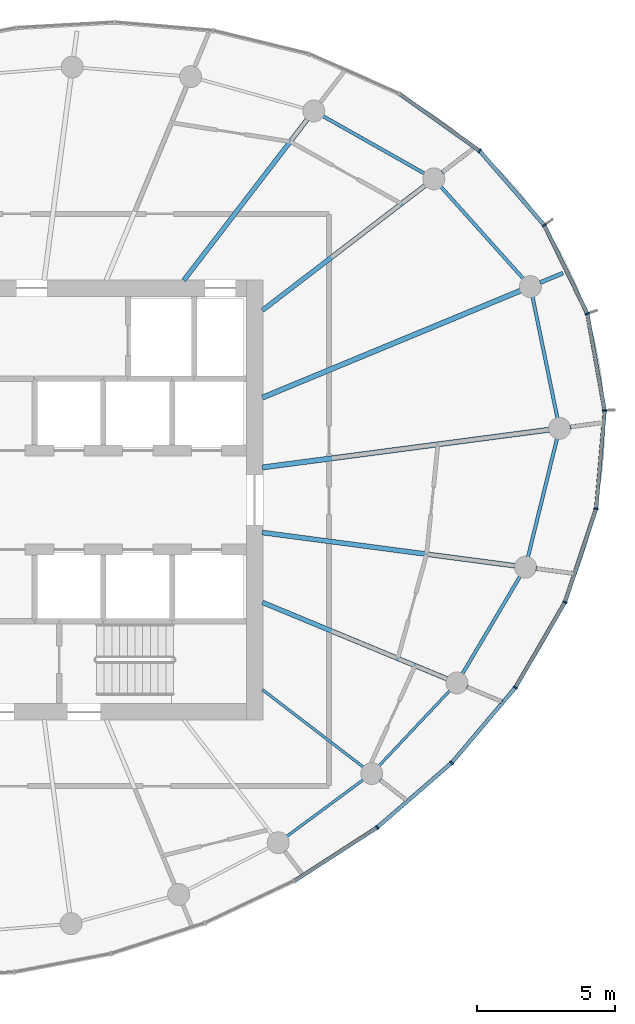
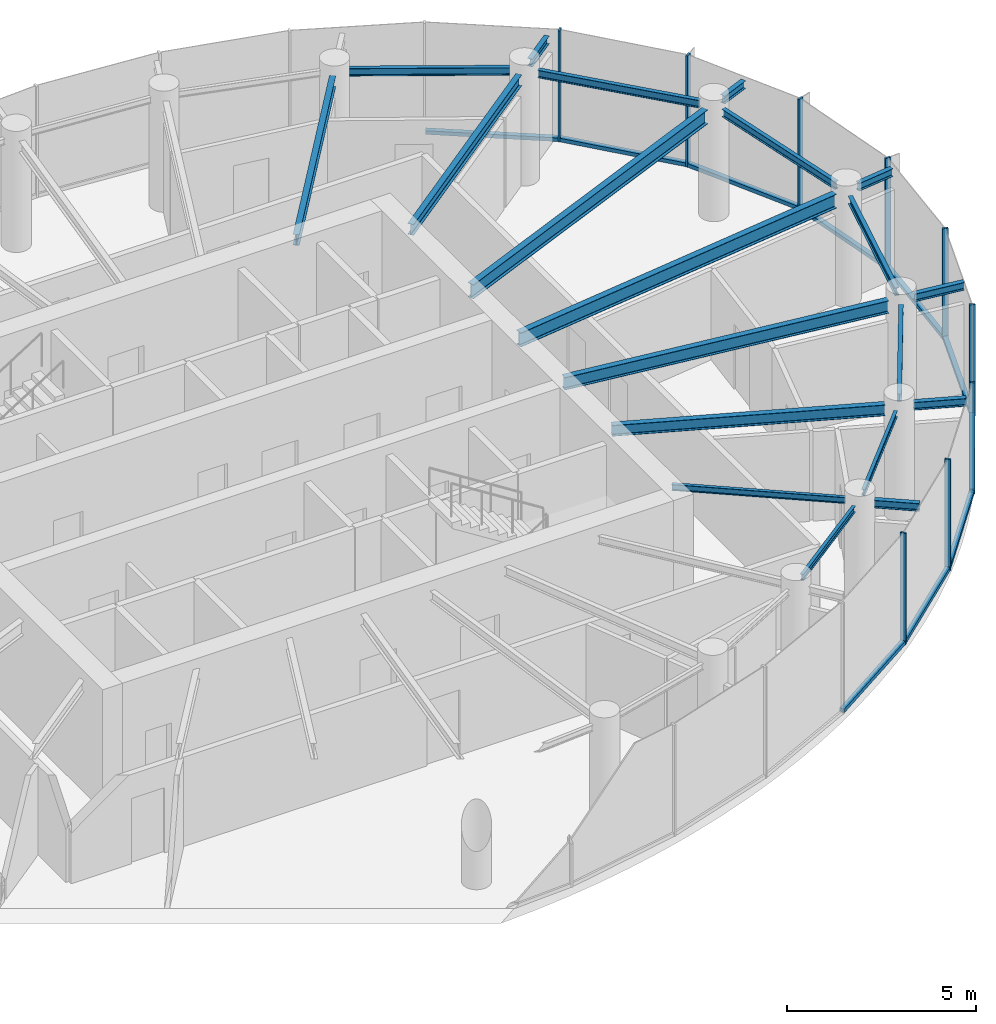
# One storey, part 5 of 13: 20 beams, 19 members, 3 elements without a shape of their own.
"""IFC4 building model written with IfcOpenShell, lengths in metres."""

from ifc_helpers import new_model, si_unit, direction, frame, origin, origin_2d, place, context, subcontext, project, spatial, rectangle, i_section, extrude, source, transform, mapped, material, layer, layer_set, material_profile, profile_set, type_object, element, aggregate, save


model = new_model("IFC4")

# Units and contexts
model_context = context("Model", 3, precision=1e-05, world=origin(), true_north=direction((0.0, 1.0)))
body_context = subcontext(model_context, "Body", "Model", "MODEL_VIEW")
ifc_project = project(units=[si_unit("LENGTHUNIT", "METRE"), si_unit("AREAUNIT", "SQUARE_METRE"), si_unit("VOLUMEUNIT", "CUBIC_METRE"), si_unit("PLANEANGLEUNIT", "RADIAN"), si_unit("MASSUNIT", "GRAM", prefix="KILO")], contexts=[model_context])

# Site, building, storey
site_placement = place(None, origin())
site = spatial("IfcSite", under=ifc_project, at=site_placement, CompositionType="ELEMENT")
building_placement = place(site_placement, origin())
building = spatial("IfcBuilding", under=site, at=building_placement, Name="Spindrift Exchange Tower", CompositionType="ELEMENT")
storey_placement = place(building_placement, frame((0.0, 0.0, 250.10009765625)))
storey = spatial("IfcBuildingStorey", under=building, at=storey_placement, Name="L61", CompositionType="ELEMENT", Elevation=250.10009765625)

# Beams
ifc_material_1 = material(Name="Steel Grade 300", Category="steel")
ifc_material_profile_1 = material_profile(ifc_material_1, i_section(OverallWidth=0.18994140625, OverallDepth=0.4541015625, WebThickness=0.008544921875, FlangeThickness=0.0126953125, FilletRadius=0.013916015625, at=origin_2d()), Name="460UB67.1")
ifc_profile_set_1 = profile_set([ifc_material_profile_1], Name="Steel Grade 300")
beam_type_1 = type_object("IfcBeamType", Name="Floor Beam 460UB67.1 Steel Grade 300", PredefinedType="BEAM", material=ifc_profile_set_1)
shared_shape_1 = source(origin(), body_context, "Body", "SweptSolid", [
    extrude(i_section(OverallWidth=0.18994140625, OverallDepth=0.4541015625, WebThickness=0.008544921875, FlangeThickness=0.0126953125, FilletRadius=0.013916015625, at=origin_2d()), origin(), (0.0, 0.0, 1.0), 10.510009765625),
])
beam_1_placement = place(storey_placement, frame((60.980224609375, 49.182373046875, 3.352783203125), z_axis=(0.991445042488, 0.130524816516, 0.0), x_axis=(-0.130524816516, 0.991445042488, 0.0)))
element("IfcBeam", 1, at=beam_1_placement, inside=storey, type_object=beam_type_1, Name="L61 radial beam R01A", PredefinedType="BEAM", context=body_context, shape_type="MappedRepresentation", body=[
    mapped(shared_shape_1, transform((0.0, 0.0, 0.0), scale=1.0)),
])
shared_shape_2 = source(origin(), body_context, "Body", "SweptSolid", [
    extrude(i_section(OverallWidth=0.18994140625, OverallDepth=0.4541015625, WebThickness=0.008544921875, FlangeThickness=0.0126953125, FilletRadius=0.013916015625, at=origin_2d()), origin(), (0.0, 0.0, 1.0), 10.160400390625),
])
beam_2_placement = place(storey_placement, frame((60.9814453125, 51.72021484375, 3.352783203125), z_axis=(0.923880358773, 0.382681437588, 0.0), x_axis=(-0.382681437588, 0.923880358773, 0.0)))
element("IfcBeam", 2, at=beam_2_placement, inside=storey, type_object=beam_type_1, Name="L61 radial beam R02A", PredefinedType="BEAM", context=body_context, shape_type="MappedRepresentation", body=[
    mapped(shared_shape_2, transform((0.0, 0.0, 0.0), scale=1.0)),
])
ifc_material_profile_2 = material_profile(ifc_material_1, i_section(OverallWidth=0.1708984375, OverallDepth=0.35205078125, WebThickness=0.0068359375, FlangeThickness=0.009765625, FilletRadius=0.013916015625, at=origin_2d()), Name="360UB44.7")
ifc_profile_set_2 = profile_set([ifc_material_profile_2], Name="Steel Grade 300")
beam_type_2 = type_object("IfcBeamType", Name="Floor Beam 360UB44.7 Steel Grade 300", PredefinedType="BEAM", material=ifc_profile_set_2)
shared_shape_3 = source(origin(), body_context, "Body", "SweptSolid", [
    extrude(i_section(OverallWidth=0.1708984375, OverallDepth=0.35205078125, WebThickness=0.0068359375, FlangeThickness=0.009765625, FilletRadius=0.013916015625, at=origin_2d()), origin(), (0.0, 0.0, 1.0), 7.466796875),
])
beam_3_placement = place(storey_placement, frame((60.984130859375, 54.893798828125, 3.40380859375), z_axis=(0.793360004804, 0.608752743548, 0.0), x_axis=(-0.608752743548, 0.793360004804, 0.0)))
element("IfcBeam", 3, at=beam_3_placement, inside=storey, type_object=beam_type_2, Name="L61 radial beam R03A", PredefinedType="BEAM", context=body_context, shape_type="MappedRepresentation", body=[
    mapped(shared_shape_3, transform((0.0, 0.0, 0.0), scale=1.0)),
])
shared_shape_4 = source(origin(), body_context, "Body", "SweptSolid", [
    extrude(i_section(OverallWidth=0.1708984375, OverallDepth=0.35205078125, WebThickness=0.0068359375, FlangeThickness=0.009765625, FilletRadius=0.013916015625, at=origin_2d()), origin(), (0.0, 0.0, 1.0), 7.3740234375),
])
beam_4_placement = place(storey_placement, frame((58.12646484375, 55.984130859375, 3.40380859375), z_axis=(0.608751913917, 0.793360641387, 0.0), x_axis=(-0.793360641387, 0.608751913917, 0.0)))
element("IfcBeam", 4, at=beam_4_placement, inside=storey, type_object=beam_type_2, Name="L61 radial beam R04A", PredefinedType="BEAM", context=body_context, shape_type="MappedRepresentation", body=[
    mapped(shared_shape_4, transform((0.0, 0.0, 0.0), scale=1.0)),
])
ifc_material_profile_3 = material_profile(ifc_material_1, i_section(OverallWidth=0.09912109375, OverallDepth=0.197998046875, WebThickness=0.00439453125, FlangeThickness=0.007080078125, FilletRadius=0.010986328125, at=origin_2d()), Name="200UB18.2")
ifc_profile_set_3 = profile_set([ifc_material_profile_3], Name="Steel Grade 300")
beam_type_3 = type_object("IfcBeamType", Name="Floor Beam 200UB18.2 Steel Grade 300", PredefinedType="BEAM", material=ifc_profile_set_3)
shared_shape_5 = source(origin(), body_context, "Body", "SweptSolid", [
    extrude(i_section(OverallWidth=0.09912109375, OverallDepth=0.197998046875, WebThickness=0.00439453125, FlangeThickness=0.007080078125, FilletRadius=0.010986328125, at=origin_2d()), origin(), (0.0, 0.0, 1.0), 4.622802734375),
])
beam_5_placement = place(storey_placement, frame((60.984130859375, 41.106201171875, 3.48095703125), z_axis=(0.793347882225, -0.608768542033, 0.0), x_axis=(0.608768542033, 0.793347882225, 0.0)))
element("IfcBeam", 5, at=beam_5_placement, inside=storey, type_object=beam_type_3, Name="L61 radial beam R22A", PredefinedType="BEAM", context=body_context, shape_type="MappedRepresentation", body=[
    mapped(shared_shape_5, transform((0.0, 0.0, 0.0), scale=1.0)),
])
shared_shape_6 = source(origin(), body_context, "Body", "SweptSolid", [
    extrude(i_section(OverallWidth=0.1708984375, OverallDepth=0.35205078125, WebThickness=0.0068359375, FlangeThickness=0.009765625, FilletRadius=0.013916015625, at=origin_2d()), origin(), (0.0, 0.0, 1.0), 7.272705078125),
])
beam_6_placement = place(storey_placement, frame((60.9814453125, 44.27978515625, 3.40380859375), z_axis=(0.923874446092, -0.382695711836, 0.0), x_axis=(0.382695711836, 0.923874446092, 0.0)))
element("IfcBeam", 6, at=beam_6_placement, inside=storey, type_object=beam_type_2, Name="L61 radial beam R23A", PredefinedType="BEAM", context=body_context, shape_type="MappedRepresentation", body=[
    mapped(shared_shape_6, transform((0.0, 0.0, 0.0), scale=1.0)),
])
ifc_material_profile_4 = material_profile(ifc_material_1, i_section(OverallWidth=0.177978515625, OverallDepth=0.403076171875, WebThickness=0.007568359375, FlangeThickness=0.010986328125, FilletRadius=0.013916015625, at=origin_2d()), Name="410UB53.7")
ifc_profile_set_4 = profile_set([ifc_material_profile_4], Name="Steel Grade 300")
beam_type_4 = type_object("IfcBeamType", Name="Floor Beam 410UB53.7 Steel Grade 300", PredefinedType="BEAM", material=ifc_profile_set_4)
shared_shape_7 = source(origin(), body_context, "Body", "SweptSolid", [
    extrude(i_section(OverallWidth=0.177978515625, OverallDepth=0.403076171875, WebThickness=0.007568359375, FlangeThickness=0.010986328125, FilletRadius=0.013916015625, at=origin_2d()), origin(), (0.0, 0.0, 1.0), 9.261962890625),
])
beam_7_placement = place(storey_placement, frame((60.980224609375, 46.817626953125, 3.37841796875), z_axis=(0.991447744872, -0.130504288008, 0.0), x_axis=(0.130504288008, 0.991447744872, 0.0)))
element("IfcBeam", 7, at=beam_7_placement, inside=storey, type_object=beam_type_4, Name="L61 radial beam R24A", PredefinedType="BEAM", context=body_context, shape_type="MappedRepresentation", body=[
    mapped(shared_shape_7, transform((0.0, 0.0, 0.0), scale=1.0)),
])
ifc_material_profile_5 = material_profile(ifc_material_1, i_section(OverallWidth=0.1240234375, OverallDepth=0.248046875, WebThickness=0.0048828125, FlangeThickness=0.008056640625, FilletRadius=0.011962890625, at=origin_2d()), Name="250UB25.7")
ifc_profile_set_5 = profile_set([ifc_material_profile_5], Name="Steel Grade 300")
beam_type_5 = type_object("IfcBeamType", Name="Edge Beam 250UB25.7 Steel Grade 300", PredefinedType="SPANDREL", material=ifc_profile_set_5)
shared_shape_8 = source(origin(), body_context, "Body", "SweptSolid", [
    extrude(i_section(OverallWidth=0.1240234375, OverallDepth=0.248046875, WebThickness=0.0048828125, FlangeThickness=0.008056640625, FilletRadius=0.011962890625, at=origin_2d()), origin(), (0.0, 0.0, 1.0), 4.497802734375),
])
beam_8_placement = place(storey_placement, frame((71.700927734375, 50.975830078125, 3.455810546875), z_axis=(-0.201217935785, 0.979546498293, 0.0), x_axis=(-0.979546498293, -0.201217935785, 0.0)))
element("IfcBeam", 8, at=beam_8_placement, inside=storey, type_object=beam_type_5, Name="L61 edge beam E01", PredefinedType="SPANDREL", context=body_context, shape_type="MappedRepresentation", body=[
    mapped(shared_shape_8, transform((0.0, 0.0, 0.0), scale=1.0)),
])
shared_shape_9 = source(origin(), body_context, "Body", "SweptSolid", [
    extrude(i_section(OverallWidth=0.1240234375, OverallDepth=0.248046875, WebThickness=0.0048828125, FlangeThickness=0.008056640625, FilletRadius=0.011962890625, at=origin_2d()), origin(), (0.0, 0.0, 1.0), 4.499755859375),
])
beam_9_placement = place(storey_placement, frame((70.466064453125, 56.036865234375, 3.455810546875), z_axis=(-0.667419502646, 0.744681950558, 0.0), x_axis=(-0.744681950558, -0.667419502646, 0.0)))
element("IfcBeam", 9, at=beam_9_placement, inside=storey, type_object=beam_type_5, Name="L61 edge beam E02", PredefinedType="SPANDREL", context=body_context, shape_type="MappedRepresentation", body=[
    mapped(shared_shape_9, transform((0.0, 0.0, 0.0), scale=1.0)),
])
shared_shape_10 = source(origin(), body_context, "Body", "SweptSolid", [
    extrude(i_section(OverallWidth=0.1240234375, OverallDepth=0.248046875, WebThickness=0.0048828125, FlangeThickness=0.008056640625, FilletRadius=0.011962890625, at=origin_2d()), origin(), (0.0, 0.0, 1.0), 4.2509765625),
])
beam_10_placement = place(storey_placement, frame((66.878662109375, 59.857666015625, 3.455810546875), z_axis=(-0.870615246867, 0.491964523033, 0.0), x_axis=(-0.491964523033, -0.870615246867, 0.0)))
element("IfcBeam", 10, at=beam_10_placement, inside=storey, type_object=beam_type_5, Name="L61 edge beam E03", PredefinedType="SPANDREL", context=body_context, shape_type="MappedRepresentation", body=[
    mapped(shared_shape_10, transform((0.0, 0.0, 0.0), scale=1.0)),
])
ifc_material_profile_6 = material_profile(ifc_material_1, i_section(OverallWidth=0.09912109375, OverallDepth=0.197998046875, WebThickness=0.00439453125, FlangeThickness=0.007080078125, FilletRadius=0.010986328125, at=origin_2d()), Name="200UB18.2")
ifc_profile_set_6 = profile_set([ifc_material_profile_6], Name="Steel Grade 300")
beam_type_6 = type_object("IfcBeamType", Name="Edge Beam 200UB18.2 Steel Grade 300", PredefinedType="SPANDREL", material=ifc_profile_set_6)
shared_shape_11 = source(origin(), body_context, "Body", "SweptSolid", [
    extrude(i_section(OverallWidth=0.09912109375, OverallDepth=0.197998046875, WebThickness=0.00439453125, FlangeThickness=0.007080078125, FilletRadius=0.010986328125, at=origin_2d()), origin(), (0.0, 0.0, 1.0), 3.466552734375),
])
beam_11_placement = place(storey_placement, frame((61.861083984375, 35.772705078125, 3.48095703125), z_axis=(0.803854022168, 0.594826622676, 0.0), x_axis=(-0.594826622676, 0.803854022168, 0.0)))
element("IfcBeam", 11, at=beam_11_placement, inside=storey, type_object=beam_type_6, Name="L61 edge beam E21", PredefinedType="SPANDREL", context=body_context, shape_type="MappedRepresentation", body=[
    mapped(shared_shape_11, transform((0.0, 0.0, 0.0), scale=1.0)),
])
shared_shape_12 = source(origin(), body_context, "Body", "SweptSolid", [
    extrude(i_section(OverallWidth=0.09912109375, OverallDepth=0.197998046875, WebThickness=0.00439453125, FlangeThickness=0.007080078125, FilletRadius=0.010986328125, at=origin_2d()), origin(), (0.0, 0.0, 1.0), 3.759765625),
])
beam_12_placement = place(storey_placement, frame((65.213623046875, 38.33740234375, 3.48095703125), z_axis=(0.685520646854, 0.72805318675, 0.0), x_axis=(-0.72805318675, 0.685520646854, 0.0)))
element("IfcBeam", 12, at=beam_12_placement, inside=storey, type_object=beam_type_6, Name="L61 edge beam E22", PredefinedType="SPANDREL", context=body_context, shape_type="MappedRepresentation", body=[
    mapped(shared_shape_12, transform((0.0, 0.0, 0.0), scale=1.0)),
])
shared_shape_13 = source(origin(), body_context, "Body", "SweptSolid", [
    extrude(i_section(OverallWidth=0.1240234375, OverallDepth=0.248046875, WebThickness=0.0048828125, FlangeThickness=0.008056640625, FilletRadius=0.011962890625, at=origin_2d()), origin(), (0.0, 0.0, 1.0), 4.128662109375),
])
beam_13_placement = place(storey_placement, frame((68.244873046875, 41.678466796875, 3.455810546875), z_axis=(0.509067946458, 0.860726336235, 0.0), x_axis=(-0.860726336235, 0.509067946458, 0.0)))
element("IfcBeam", 13, at=beam_13_placement, inside=storey, type_object=beam_type_5, Name="L61 edge beam E23", PredefinedType="SPANDREL", context=body_context, shape_type="MappedRepresentation", body=[
    mapped(shared_shape_13, transform((0.0, 0.0, 0.0), scale=1.0)),
])
shared_shape_14 = source(origin(), body_context, "Body", "SweptSolid", [
    extrude(i_section(OverallWidth=0.1240234375, OverallDepth=0.248046875, WebThickness=0.0048828125, FlangeThickness=0.008056640625, FilletRadius=0.011962890625, at=origin_2d()), origin(), (0.0, 0.0, 1.0), 4.43408203125),
])
beam_14_placement = place(storey_placement, frame((70.630615234375, 45.92822265625, 3.455810546875), z_axis=(0.238193109804, 0.971217814109, 0.0), x_axis=(-0.971217814109, 0.238193109804, 0.0)))
element("IfcBeam", 14, at=beam_14_placement, inside=storey, type_object=beam_type_5, Name="L61 edge beam E24", PredefinedType="SPANDREL", context=body_context, shape_type="MappedRepresentation", body=[
    mapped(shared_shape_14, transform((0.0, 0.0, 0.0), scale=1.0)),
])
ifc_material_profile_7 = material_profile(ifc_material_1, i_section(OverallWidth=0.14599609375, OverallDepth=0.251953125, WebThickness=0.006103515625, FlangeThickness=0.008544921875, FilletRadius=0.011962890625, at=origin_2d()), Name="250UB31.4")
ifc_profile_set_7 = profile_set([ifc_material_profile_7], Name="Steel Grade 300")
beam_type_7 = type_object("IfcBeamType", Name="Cantilever Beam 250UB31.4 Steel Grade 300", PredefinedType="BEAM", material=ifc_profile_set_7)
shared_shape_15 = source(origin(), body_context, "Body", "SweptSolid", [
    extrude(i_section(OverallWidth=0.14599609375, OverallDepth=0.251953125, WebThickness=0.006103515625, FlangeThickness=0.008544921875, FilletRadius=0.011962890625, at=origin_2d()), origin(), (0.0, 0.0, 1.0), 1.12353515625),
])
beam_15_placement = place(storey_placement, frame((72.154052734375, 50.6533203125, 3.453857421875), z_axis=(0.991437277643, 0.130583783446, 0.0), x_axis=(-0.130583783446, 0.991437277643, 0.0)))
element("IfcBeam", 15, at=beam_15_placement, inside=storey, type_object=beam_type_7, Name="L61 cantilever beam R01T", PredefinedType="BEAM", context=body_context, shape_type="MappedRepresentation", body=[
    mapped(shared_shape_15, transform((0.0, 0.0, 0.0), scale=1.0)),
])
shared_shape_16 = source(origin(), body_context, "Body", "SweptSolid", [
    extrude(i_section(OverallWidth=0.14599609375, OverallDepth=0.251953125, WebThickness=0.006103515625, FlangeThickness=0.008544921875, FilletRadius=0.011962890625, at=origin_2d()), origin(), (0.0, 0.0, 1.0), 0.902099609375),
])
beam_16_placement = place(storey_placement, frame((71.07080078125, 55.8994140625, 3.453857421875), z_axis=(0.923891501573, 0.382654535215, 0.0), x_axis=(-0.382654535215, 0.923891501573, 0.0)))
element("IfcBeam", 16, at=beam_16_placement, inside=storey, type_object=beam_type_7, Name="L61 cantilever beam R02T", PredefinedType="BEAM", context=body_context, shape_type="MappedRepresentation", body=[
    mapped(shared_shape_16, transform((0.0, 0.0, 0.0), scale=1.0)),
])
shared_shape_17 = source(origin(), body_context, "Body", "SweptSolid", [
    extrude(i_section(OverallWidth=0.14599609375, OverallDepth=0.251953125, WebThickness=0.006103515625, FlangeThickness=0.008544921875, FilletRadius=0.011962890625, at=origin_2d()), origin(), (0.0, 0.0, 1.0), 1.1611328125),
])
beam_17_placement = place(storey_placement, frame((67.510986328125, 59.90185546875, 3.453857421875), z_axis=(0.793264454879, 0.608877249226, 0.0), x_axis=(-0.608877249226, 0.793264454879, 0.0)))
element("IfcBeam", 17, at=beam_17_placement, inside=storey, type_object=beam_type_7, Name="L61 cantilever beam R03T", PredefinedType="BEAM", context=body_context, shape_type="MappedRepresentation", body=[
    mapped(shared_shape_17, transform((0.0, 0.0, 0.0), scale=1.0)),
])
shared_shape_18 = source(origin(), body_context, "Body", "SweptSolid", [
    extrude(i_section(OverallWidth=0.14599609375, OverallDepth=0.251953125, WebThickness=0.006103515625, FlangeThickness=0.008544921875, FilletRadius=0.011962890625, at=origin_2d()), origin(), (0.0, 0.0, 1.0), 1.2138671875),
])
beam_18_placement = place(storey_placement, frame((65.25439453125, 37.829345703125, 3.453857421875), z_axis=(0.793460663046, -0.608621537738, 0.0), x_axis=(0.608621537738, 0.793460663046, 0.0)))
element("IfcBeam", 18, at=beam_18_placement, inside=storey, type_object=beam_type_7, Name="L61 cantilever beam R22T", PredefinedType="BEAM", context=body_context, shape_type="MappedRepresentation", body=[
    mapped(shared_shape_18, transform((0.0, 0.0, 0.0), scale=1.0)),
])
shared_shape_19 = source(origin(), body_context, "Body", "SweptSolid", [
    extrude(i_section(OverallWidth=0.14599609375, OverallDepth=0.251953125, WebThickness=0.006103515625, FlangeThickness=0.008544921875, FilletRadius=0.011962890625, at=origin_2d()), origin(), (0.0, 0.0, 1.0), 1.397705078125),
])
beam_19_placement = place(storey_placement, frame((68.402587890625, 41.205810546875, 3.453857421875), z_axis=(0.923865669267, -0.382716899483, 0.0), x_axis=(0.382716899483, 0.923865669267, 0.0)))
element("IfcBeam", 19, at=beam_19_placement, inside=storey, type_object=beam_type_7, Name="L61 cantilever beam R23T", PredefinedType="BEAM", context=body_context, shape_type="MappedRepresentation", body=[
    mapped(shared_shape_19, transform((0.0, 0.0, 0.0), scale=1.0)),
])
shared_shape_20 = source(origin(), body_context, "Body", "SweptSolid", [
    extrude(i_section(OverallWidth=0.14599609375, OverallDepth=0.251953125, WebThickness=0.006103515625, FlangeThickness=0.008544921875, FilletRadius=0.011962890625, at=origin_2d()), origin(), (0.0, 0.0, 1.0), 1.407958984375),
])
beam_20_placement = place(storey_placement, frame((70.916748046875, 45.509521484375, 3.453857421875), z_axis=(0.991440125833, -0.13056215718, 0.0), x_axis=(0.13056215718, 0.991440125833, 0.0)))
element("IfcBeam", 20, at=beam_20_placement, inside=storey, type_object=beam_type_7, Name="L61 cantilever beam R24T", PredefinedType="BEAM", context=body_context, shape_type="MappedRepresentation", body=[
    mapped(shared_shape_20, transform((0.0, 0.0, 0.0), scale=1.0)),
])

# Curtain wall, member
ifc_material_2 = material(Name="Fritted laminated glass with bronze frame", Category="glass")
ifc_layer = layer(ifc_material_2, 0.159912109375)
ifc_layer_set = layer_set([ifc_layer], Name="ZONE 5 BRONZE FRITTED WALL")
curtain_wall_type = type_object("IfcCurtainWallType", Name="ZONE 5 BRONZE FRITTED WALL", PredefinedType="NOTDEFINED", material=ifc_layer_set)
curtain_wall_1_placement = place(storey_placement, origin())
curtain_wall_1 = element("IfcCurtainWall", 21, at=curtain_wall_1_placement, inside=storey, type_object=curtain_wall_type, Name="L61 Zone 5 Bronze Fritted Wall run 6", PredefinedType="NOTDEFINED")
ifc_material_3 = material(Name="Bronze anodised aluminium", Category="aluminium")
ifc_material_profile_8 = material_profile(ifc_material_3, rectangle(XDim=0.139892578125, YDim=0.1201171875, at=origin_2d()), Name="ZONE 5 BRONZE FRITTED WALL TRANSOM 140X120")
ifc_profile_set_8 = profile_set([ifc_material_profile_8], Name="Bronze anodised aluminium")
member_type_1 = type_object("IfcMemberType", Name="ZONE 5 BRONZE FRITTED WALL TRANSOM 140X120", PredefinedType="USERDEFINED", material=ifc_profile_set_8)
shared_shape_21 = source(origin(), body_context, "Body", "SweptSolid", [
    extrude(rectangle(XDim=0.139892578125, YDim=0.1201171875, at=origin_2d()), origin(), (0.0, 0.0, 1.0), 3.521484375),
])
member_1_placement = place(storey_placement, frame((71.981689453125, 44.31494140625, 0.059814453125), z_axis=(0.316622910597, 0.948551491742, 0.0), x_axis=(-0.948551491742, 0.316622910597, 0.0)))
member_1 = element("IfcMember", 22, at=member_1_placement, type_object=member_type_1, Name="L61 transom CW-5.32", ObjectType="TRANSOM", PredefinedType="USERDEFINED", context=body_context, shape_type="MappedRepresentation", body=[
    mapped(shared_shape_21, transform((0.0, 0.0, 0.0), scale=1.0)),
])

curtain_wall_2_placement = place(storey_placement, origin())
curtain_wall_2 = element("IfcCurtainWall", 23, at=curtain_wall_2_placement, inside=storey, type_object=curtain_wall_type, Name="L61 Zone 5 Bronze Fritted Wall run 1", PredefinedType="NOTDEFINED")
shared_shape_22 = source(origin(), body_context, "Body", "SweptSolid", [
    extrude(rectangle(XDim=0.139892578125, YDim=0.1201171875, at=origin_2d()), origin(), (0.0, 0.0, 1.0), 3.519287109375),
])
member_2_placement = place(storey_placement, frame((71.2001953125, 58.010986328125, 0.059814453125), z_axis=(-0.656616573559, 0.754224552323, 0.0), x_axis=(-0.754224552323, -0.656616573559, 0.0)))
member_2 = element("IfcMember", 24, at=member_2_placement, type_object=member_type_1, Name="L61 transom CW-5.2", ObjectType="TRANSOM", PredefinedType="USERDEFINED", context=body_context, shape_type="MappedRepresentation", body=[
    mapped(shared_shape_22, transform((0.0, 0.0, 0.0), scale=1.0)),
])

# Member
member_3_placement = place(storey_placement, frame((73.10888671875, 47.713623046875, 0.059814453125), z_axis=(0.086300316493, 0.996269168133, 0.0), x_axis=(-0.996269168133, 0.086300316493, 0.0)))
member_3 = element("IfcMember", 25, at=member_3_placement, type_object=member_type_1, Name="L61 transom CW-5.33", ObjectType="TRANSOM", PredefinedType="USERDEFINED", context=body_context, shape_type="MappedRepresentation", body=[
    mapped(shared_shape_22, transform((0.0, 0.0, 0.0), scale=1.0)),
])

# Curtain wall, member
curtain_wall_3_placement = place(storey_placement, origin())
curtain_wall_3 = element("IfcCurtainWall", 26, at=curtain_wall_3_placement, inside=storey, type_object=curtain_wall_type, Name="L61 Zone 5 Bronze Fritted Wall run 5", PredefinedType="NOTDEFINED")
shared_shape_23 = source(origin(), body_context, "Body", "SweptSolid", [
    extrude(rectangle(XDim=0.139892578125, YDim=0.1201171875, at=origin_2d()), origin(), (0.0, 0.0, 1.0), 3.526123046875),
])
member_4_placement = place(storey_placement, frame((62.16259765625, 34.171875, 0.059814453125), z_axis=(0.839984153407, 0.542610930617, 0.0), x_axis=(-0.542610930617, 0.839984153407, 0.0)))
member_4 = element("IfcMember", 27, at=member_4_placement, type_object=member_type_1, Name="L61 transom CW-5.28", ObjectType="TRANSOM", PredefinedType="USERDEFINED", context=body_context, shape_type="MappedRepresentation", body=[
    mapped(shared_shape_23, transform((0.0, 0.0, 0.0), scale=1.0)),
])

# Member
shared_shape_24 = source(origin(), body_context, "Body", "SweptSolid", [
    extrude(rectangle(XDim=0.139892578125, YDim=0.1201171875, at=origin_2d()), origin(), (0.0, 0.0, 1.0), 3.5234375),
])
member_5_placement = place(storey_placement, frame((70.188720703125, 41.213134765625, 0.059814453125), z_axis=(0.501948283515, 0.864897635952, 0.0), x_axis=(-0.864897635952, 0.501948283515, 0.0)))
member_5 = element("IfcMember", 28, at=member_5_placement, type_object=member_type_1, Name="L61 transom CW-5.31", ObjectType="TRANSOM", PredefinedType="USERDEFINED", context=body_context, shape_type="MappedRepresentation", body=[
    mapped(shared_shape_24, transform((0.0, 0.0, 0.0), scale=1.0)),
])

shared_shape_25 = source(origin(), body_context, "Body", "SweptSolid", [
    extrude(rectangle(XDim=0.139892578125, YDim=0.1201171875, at=origin_2d()), origin(), (0.0, 0.0, 1.0), 3.517578125),
])
member_6_placement = place(storey_placement, frame((72.771240234375, 54.798095703125, 0.059814453125), z_axis=(-0.437330713452, 0.899300754515, 0.0), x_axis=(-0.899300754515, -0.437330713452, 0.0)))
member_6 = element("IfcMember", 29, at=member_6_placement, type_object=member_type_1, Name="L61 transom CW-5.1", ObjectType="TRANSOM", PredefinedType="USERDEFINED", context=body_context, shape_type="MappedRepresentation", body=[
    mapped(shared_shape_25, transform((0.0, 0.0, 0.0), scale=1.0)),
])

member_7_placement = place(storey_placement, frame((73.409912109375, 51.279052734375, 0.059814453125), z_axis=(-0.176295085342, 0.984337362333, 0.0), x_axis=(-0.984337362333, -0.176295085342, 0.0)))
member_7 = element("IfcMember", 30, at=member_7_placement, type_object=member_type_1, Name="L61 transom CW-5.34", ObjectType="TRANSOM", PredefinedType="USERDEFINED", context=body_context, shape_type="MappedRepresentation", body=[
    mapped(shared_shape_25, transform((0.0, 0.0, 0.0), scale=1.0)),
])

shared_shape_26 = source(origin(), body_context, "Body", "SweptSolid", [
    extrude(rectangle(XDim=0.139892578125, YDim=0.1201171875, at=origin_2d()), origin(), (0.0, 0.0, 1.0), 3.525634765625),
])
member_8_placement = place(storey_placement, frame((65.17236328125, 36.12109375, 0.059814453125), z_axis=(0.75572107029, 0.654893627942, 0.0), x_axis=(-0.654893627942, 0.75572107029, 0.0)))
member_8 = element("IfcMember", 31, at=member_8_placement, type_object=member_type_1, Name="L61 transom CW-5.29", ObjectType="TRANSOM", PredefinedType="USERDEFINED", context=body_context, shape_type="MappedRepresentation", body=[
    mapped(shared_shape_26, transform((0.0, 0.0, 0.0), scale=1.0)),
])

ifc_material_profile_9 = material_profile(ifc_material_3, rectangle(XDim=0.06005859375, YDim=0.159912109375, at=origin_2d()), Name="ZONE 5 BRONZE FRITTED WALL MULLION 60X160")
ifc_profile_set_9 = profile_set([ifc_material_profile_9], Name="Bronze anodised aluminium")
member_type_2 = type_object("IfcMemberType", Name="ZONE 5 BRONZE FRITTED WALL MULLION 60X160", PredefinedType="MULLION", material=ifc_profile_set_9)
shared_shape_27 = source(origin(), body_context, "Body", "SweptSolid", [
    extrude(rectangle(XDim=0.06005859375, YDim=0.159912109375, at=origin_2d()), origin(), (0.0, 0.0, 1.0), 3.579833984375),
])
member_9_placement = place(storey_placement, frame((72.784423828125, 54.77099609375, 0.0), z_axis=(0.0, 0.0, 1.0), x_axis=(-0.309761900434, 0.950814159045, 0.0)))
member_9 = element("IfcMember", 32, at=member_9_placement, type_object=member_type_2, Name="L61 mullion CW-5.1", PredefinedType="MULLION", context=body_context, shape_type="MappedRepresentation", body=[
    mapped(shared_shape_27, transform((0.0, 0.0, 0.0), scale=1.0)),
])

member_10_placement = place(storey_placement, frame((71.219970703125, 57.98828125, 0.0), z_axis=(0.0, 0.0, 1.0), x_axis=(-0.551751898727, 0.834008298671, 0.0)))
member_10 = element("IfcMember", 33, at=member_10_placement, type_object=member_type_2, Name="L61 mullion CW-5.2", PredefinedType="MULLION", context=body_context, shape_type="MappedRepresentation", body=[
    mapped(shared_shape_27, transform((0.0, 0.0, 0.0), scale=1.0)),
])

member_11_placement = place(storey_placement, frame((68.86962890625, 60.68798828125, 0.0), z_axis=(0.0, 0.0, 1.0), x_axis=(-0.740741715292, 0.671789930875, 0.0)))
member_11 = element("IfcMember", 34, at=member_11_placement, type_object=member_type_2, Name="L61 mullion CW-5.3", PredefinedType="MULLION", context=body_context, shape_type="MappedRepresentation", body=[
    mapped(shared_shape_27, transform((0.0, 0.0, 0.0), scale=1.0)),
])

member_12_placement = place(storey_placement, frame((65.149658203125, 36.1015625, 0.0), z_axis=(0.0, 0.0, 1.0), x_axis=(0.799837407124, 0.600216729328, 0.0)))
member_12 = element("IfcMember", 35, at=member_12_placement, type_object=member_type_2, Name="L61 mullion CW-5.29", PredefinedType="MULLION", context=body_context, shape_type="MappedRepresentation", body=[
    mapped(shared_shape_27, transform((0.0, 0.0, 0.0), scale=1.0)),
])

member_13_placement = place(storey_placement, frame((67.859375, 38.449462890625, 0.0), z_axis=(0.0, 0.0, 1.0), x_axis=(0.70277965648, 0.711407586717, 0.0)))
member_13 = element("IfcMember", 36, at=member_13_placement, type_object=member_type_2, Name="L61 mullion CW-5.30", PredefinedType="MULLION", context=body_context, shape_type="MappedRepresentation", body=[
    mapped(shared_shape_27, transform((0.0, 0.0, 0.0), scale=1.0)),
])

member_14_placement = place(storey_placement, frame((70.173583984375, 41.18701171875, 0.0), z_axis=(0.0, 0.0, 1.0), x_axis=(0.576000032018, 0.817449670081, 0.0)))
member_14 = element("IfcMember", 37, at=member_14_placement, type_object=member_type_2, Name="L61 mullion CW-5.31", PredefinedType="MULLION", context=body_context, shape_type="MappedRepresentation", body=[
    mapped(shared_shape_27, transform((0.0, 0.0, 0.0), scale=1.0)),
])

member_15_placement = place(storey_placement, frame((71.972412109375, 44.286376953125, 0.0), z_axis=(0.0, 0.0, 1.0), x_axis=(0.41140490091, 0.911452690767, 0.0)))
member_15 = element("IfcMember", 38, at=member_15_placement, type_object=member_type_2, Name="L61 mullion CW-5.32", PredefinedType="MULLION", context=body_context, shape_type="MappedRepresentation", body=[
    mapped(shared_shape_27, transform((0.0, 0.0, 0.0), scale=1.0)),
])

member_16_placement = place(storey_placement, frame((73.106201171875, 47.68359375, 0.0), z_axis=(0.0, 0.0, 1.0), x_axis=(0.202884264967, 0.979202724173, 0.0)))
member_16 = element("IfcMember", 39, at=member_16_placement, type_object=member_type_2, Name="L61 mullion CW-5.33", PredefinedType="MULLION", context=body_context, shape_type="MappedRepresentation", body=[
    mapped(shared_shape_27, transform((0.0, 0.0, 0.0), scale=1.0)),
])

member_17_placement = place(storey_placement, frame((73.415283203125, 51.24951171875, 0.0), z_axis=(0.0, 0.0, 1.0), x_axis=(-0.045389321732, 0.998969373641, 0.0)))
member_17 = element("IfcMember", 40, at=member_17_placement, type_object=member_type_2, Name="L61 mullion CW-5.34", PredefinedType="MULLION", context=body_context, shape_type="MappedRepresentation", body=[
    mapped(shared_shape_27, transform((0.0, 0.0, 0.0), scale=1.0)),
])

aggregate(curtain_wall_1, [member_14, member_5, member_15, member_1, member_16, member_3, member_17, member_7])

shared_shape_28 = source(origin(), body_context, "Body", "SweptSolid", [
    extrude(rectangle(XDim=0.139892578125, YDim=0.1201171875, at=origin_2d()), origin(), (0.0, 0.0, 1.0), 3.52490234375),
])
member_18_placement = place(storey_placement, frame((67.878662109375, 38.472412109375, 0.059814453125), z_axis=(0.645591325269, 0.76368307611, 0.0), x_axis=(-0.76368307611, 0.645591325269, 0.0)))
member_18 = element("IfcMember", 41, at=member_18_placement, type_object=member_type_1, Name="L61 transom CW-5.30", ObjectType="TRANSOM", PredefinedType="USERDEFINED", context=body_context, shape_type="MappedRepresentation", body=[
    mapped(shared_shape_28, transform((0.0, 0.0, 0.0), scale=1.0)),
])

aggregate(curtain_wall_3, [member_4, member_12, member_8, member_13, member_18])

shared_shape_29 = source(origin(), body_context, "Body", "SweptSolid", [
    extrude(rectangle(XDim=0.139892578125, YDim=0.1201171875, at=origin_2d()), origin(), (0.0, 0.0, 1.0), 3.521728515625),
])
member_19_placement = place(storey_placement, frame((68.84521484375, 60.705322265625, 0.059814453125), z_axis=(-0.814580443686, 0.5800506019, 0.0), x_axis=(-0.5800506019, -0.814580443686, 0.0)))
member_19 = element("IfcMember", 42, at=member_19_placement, type_object=member_type_1, Name="L61 transom CW-5.3", ObjectType="TRANSOM", PredefinedType="USERDEFINED", context=body_context, shape_type="MappedRepresentation", body=[
    mapped(shared_shape_29, transform((0.0, 0.0, 0.0), scale=1.0)),
])

aggregate(curtain_wall_2, [member_9, member_6, member_10, member_2, member_11, member_19])

save(model, "model.ifc")
